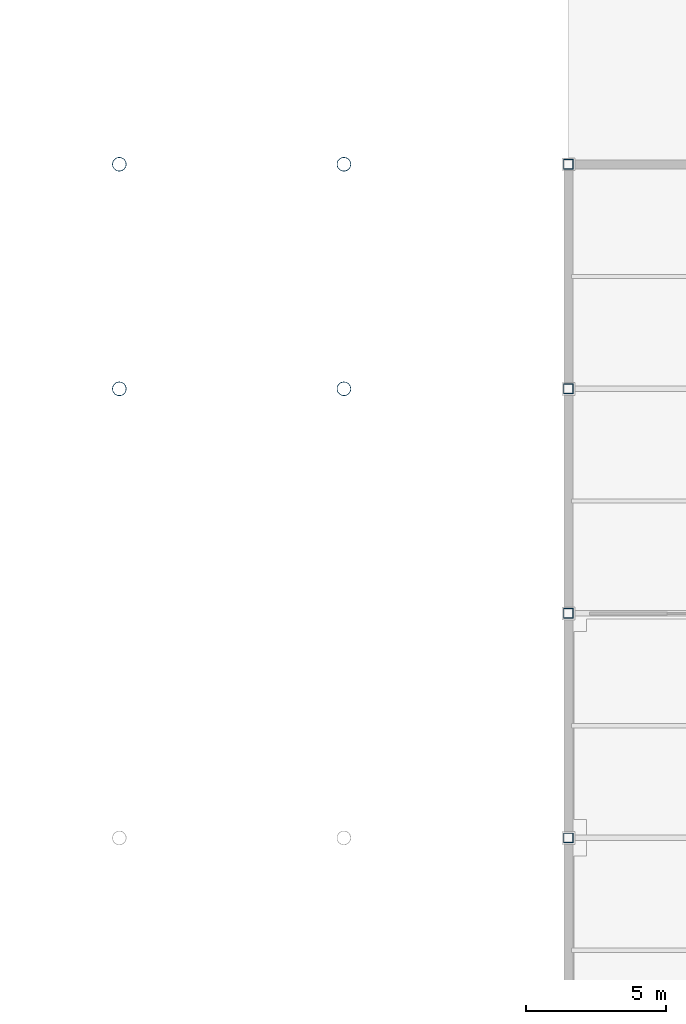
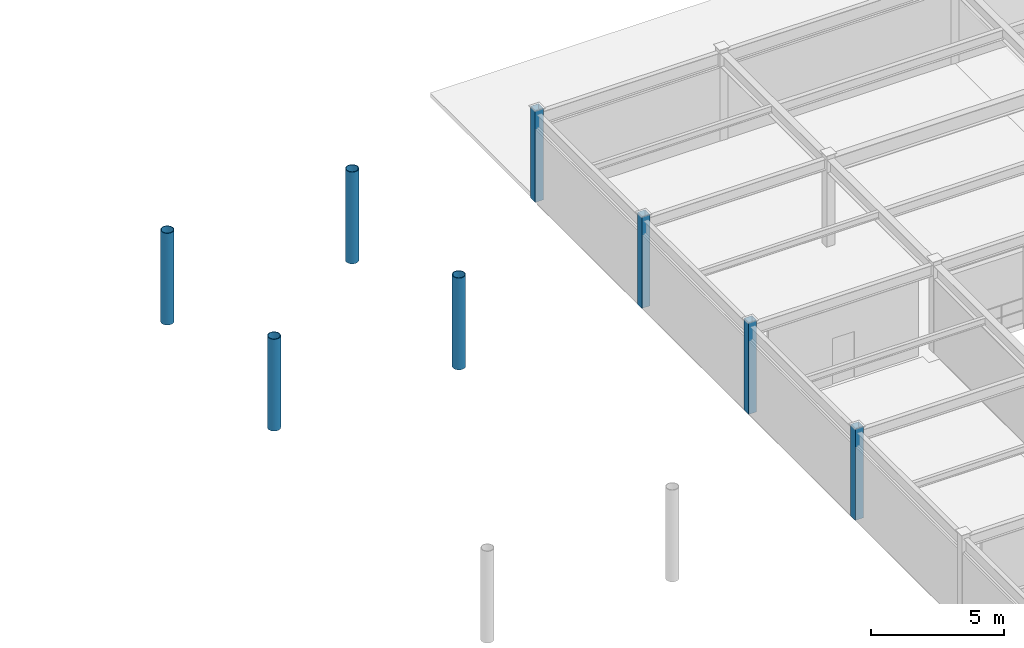
# One storey, part 13 of 78: 8 columns.
"""IFC4 building model written with IfcOpenShell, lengths in metres."""

from ifc_helpers import new_model, si_unit, direction, frame, origin, origin_2d, place, context, subcontext, project, spatial, hollow_rectangle, hollow_circle, extrude, material, material_profile, profile_set, type_object, element, save


model = new_model("IFC4")

# Units and contexts
model_context = context("Model", 3, precision=1e-05, world=origin(), true_north=direction((0.0, 1.0)))
body_context = subcontext(model_context, "Body", "Model", "MODEL_VIEW")
ifc_project = project(units=[si_unit("LENGTHUNIT", "METRE"), si_unit("AREAUNIT", "SQUARE_METRE"), si_unit("VOLUMEUNIT", "CUBIC_METRE"), si_unit("PLANEANGLEUNIT", "RADIAN"), si_unit("MASSUNIT", "GRAM", prefix="KILO")], contexts=[model_context])

# Site, building, storey
site_placement = place(None, origin())
site = spatial("IfcSite", under=ifc_project, at=site_placement, CompositionType="ELEMENT")
building_placement = place(site_placement, origin())
building = spatial("IfcBuilding", under=site, at=building_placement, Name="Haebicheon Civic Stadium", CompositionType="ELEMENT")
storey_placement = place(building_placement, frame((0.0, 0.0, 18.60009765625)))
storey = spatial("IfcBuildingStorey", under=building, at=storey_placement, Name="L05", CompositionType="ELEMENT", Elevation=18.60009765625)

# Columns
ifc_material_1 = material(Name="White painted steel SM490", Category="steel")
ifc_material_profile_1 = material_profile(ifc_material_1, hollow_circle(Radius=0.25390625, WallThickness=0.02490234375, at=origin_2d()), Name="CHS-508.0x25.0")
ifc_profile_set_1 = profile_set([ifc_material_profile_1], Name="White painted steel SM490")
column_type_1 = type_object("IfcColumnType", Name="COL-ST-CHS508", PredefinedType="COLUMN", material=ifc_profile_set_1)
for number, where, z_axis, x_axis, name in (
    (1, (200.0, 120.0, 0.0), (0.0, 0.0, 1.0), (1.0, 0.0, 0.0), "Bowl/canopy support column 200/120 (L05)"),
    (2, (192.0, 120.0, 0.0), (0.0, 0.0, 1.0), (1.0, 0.0, 0.0), "Bowl/canopy support column 192/120 (L05)"),
    (3, (200.0, 128.0, 0.0), (0.0, 0.0, 1.0), (1.0, 0.0, 0.0), "Bowl/canopy support column 200/128 (L05)"),
    (4, (192.0, 128.0, 0.0), (0.0, 0.0, 1.0), (1.0, 0.0, 0.0), "Bowl/canopy support column 192/128 (L05)"),
):
    element("IfcColumn", number, at=place(storey_placement, frame(where, z_axis=z_axis, x_axis=x_axis)), inside=storey, type_object=column_type_1, material=ifc_profile_set_1, Name=name, PredefinedType="COLUMN", context=body_context, shape_type="SweptSolid", body=[
        extrude(hollow_circle(Radius=0.25390625, WallThickness=0.02490234375, at=origin_2d()), origin(), (0.0, 0.0, 1.0), 4.199951171875),
    ])
ifc_material_2 = material(Name="Steel SM490", Category="steel")
ifc_material_profile_2 = material_profile(ifc_material_2, hollow_rectangle(XDim=0.35009765625, YDim=0.35009765625, WallThickness=0.01611328125, at=origin_2d()), Name="RHS-350x350x16.0")
ifc_profile_set_2 = profile_set([ifc_material_profile_2], Name="Steel SM490")
column_type_2 = type_object("IfcColumnType", Name="COL-ST-RHS350", PredefinedType="COLUMN", material=ifc_profile_set_2)
for number, where, z_axis, x_axis, name in (
    (5, (208.0, 104.0, 0.0), (0.0, 0.0, 1.0), (1.0, 0.0, 0.0), "L05 column 27/P"),
    (6, (208.0, 112.0, 0.0), (0.0, 0.0, 1.0), (1.0, 0.0, 0.0), "L05 column 27/Q"),
    (7, (208.0, 120.0, 0.0), (0.0, 0.0, 1.0), (1.0, 0.0, 0.0), "L05 column 27/R"),
    (8, (208.0, 128.0, 0.0), (0.0, 0.0, 1.0), (1.0, 0.0, 0.0), "L05 column 27/S"),
):
    element("IfcColumn", number, at=place(storey_placement, frame(where, z_axis=z_axis, x_axis=x_axis)), inside=storey, type_object=column_type_2, material=ifc_profile_set_2, Name=name, PredefinedType="COLUMN", context=body_context, shape_type="SweptSolid", body=[
        extrude(hollow_rectangle(XDim=0.35009765625, YDim=0.35009765625, WallThickness=0.01611328125, at=origin_2d()), origin(), (0.0, 0.0, 1.0), 4.199951171875),
    ])

save(model, "model.ifc")
